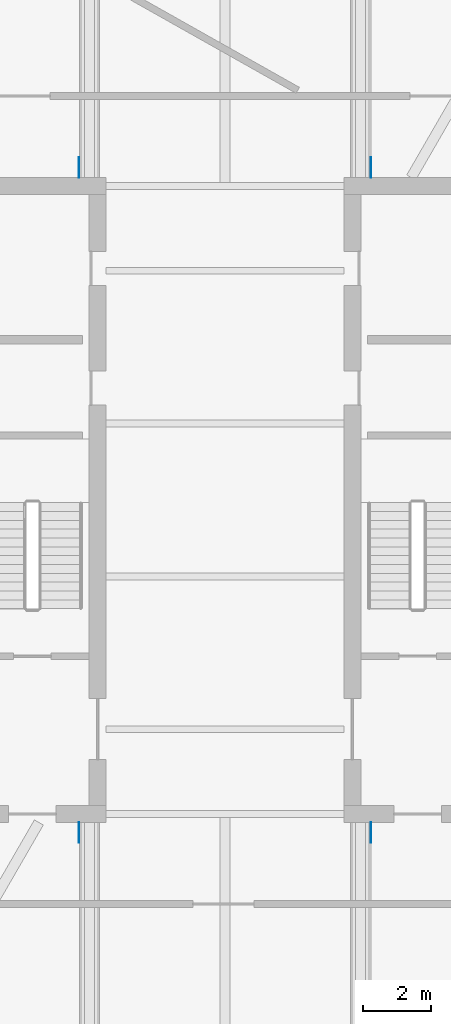
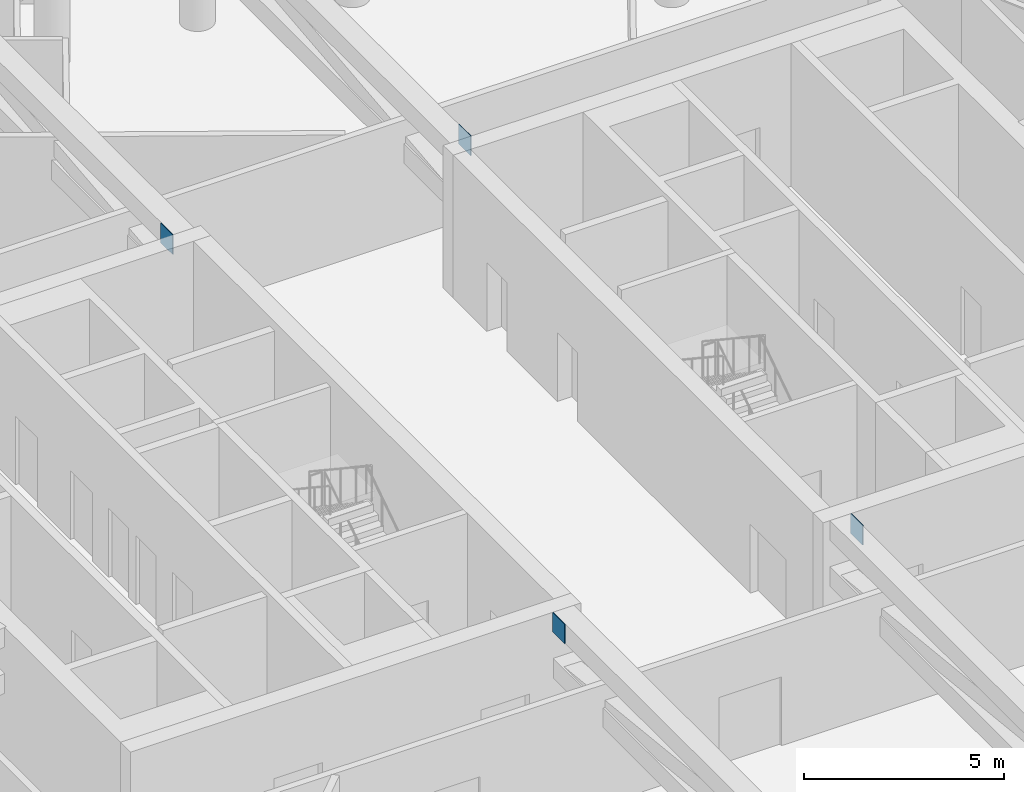
# One storey, part 10 of 15: 4 discrete accessories.
"""IFC4 building model written with IfcOpenShell, lengths in metres."""

from ifc_helpers import new_model, si_unit, direction, frame, origin, origin_2d, place, context, subcontext, project, spatial, rectangle, extrude, material, type_object, element, save


model = new_model("IFC4")

# Units and contexts
model_context = context("Model", 3, precision=1e-05, world=origin(), true_north=direction((0.0, 1.0)))
body_context = subcontext(model_context, "Body", "Model", "MODEL_VIEW")
ifc_project = project(units=[si_unit("LENGTHUNIT", "METRE"), si_unit("AREAUNIT", "SQUARE_METRE"), si_unit("VOLUMEUNIT", "CUBIC_METRE"), si_unit("PLANEANGLEUNIT", "RADIAN"), si_unit("MASSUNIT", "GRAM", prefix="KILO")], contexts=[model_context])

# Site, building, storey
site_placement = place(None, origin())
site = spatial("IfcSite", under=ifc_project, at=site_placement, CompositionType="ELEMENT")
building_placement = place(site_placement, origin())
building = spatial("IfcBuilding", under=site, at=building_placement, Name="Tamarind Cross Interchange Tower", CompositionType="ELEMENT")
storey_placement = place(building_placement, frame((0.0, 0.0, 252.300048828125)))
storey = spatial("IfcBuildingStorey", under=building, at=storey_placement, Name="L64", CompositionType="ELEMENT", Elevation=252.300048828125)

# Discrete accessories
ifc_material = material(Name="Steel Q420B", Category="steel")
discrete_accessory_type = type_object("IfcDiscreteAccessoryType", Name="Gusset plate 20 mm Steel Q420B", PredefinedType="BRACKET", material=ifc_material)
for number, where, z_axis, x_axis, name in (
    (1, (4.303955078125, 9.800048828125, 3.760009765625), (0.0, 0.0, 1.0), (1.0, 0.0, 0.0), "Gusset plate H08"),
    (2, (-4.303955078125, 9.800048828125, 3.760009765625), (0.0, 0.0, 1.0), (1.0, 0.0, 0.0), "Gusset plate H10"),
    (3, (-4.303955078125, -9.800048828125, 3.760009765625), (0.0, 0.0, 1.0), (1.0, 0.0, 0.0), "Gusset plate H26"),
    (4, (4.303955078125, -9.800048828125, 3.760009765625), (0.0, 0.0, 1.0), (1.0, 0.0, 0.0), "Gusset plate H28"),
):
    element("IfcDiscreteAccessory", number, at=place(storey_placement, frame(where, z_axis=z_axis, x_axis=x_axis)), inside=storey, type_object=discrete_accessory_type, Name=name, PredefinedType="BRACKET", context=body_context, shape_type="SweptSolid", body=[
        extrude(rectangle(XDim=0.02001953125, YDim=0.60009765625, at=origin_2d()), origin(), (0.0, 0.0, 1.0), 0.60009765625),
    ])

save(model, "model.ifc")
